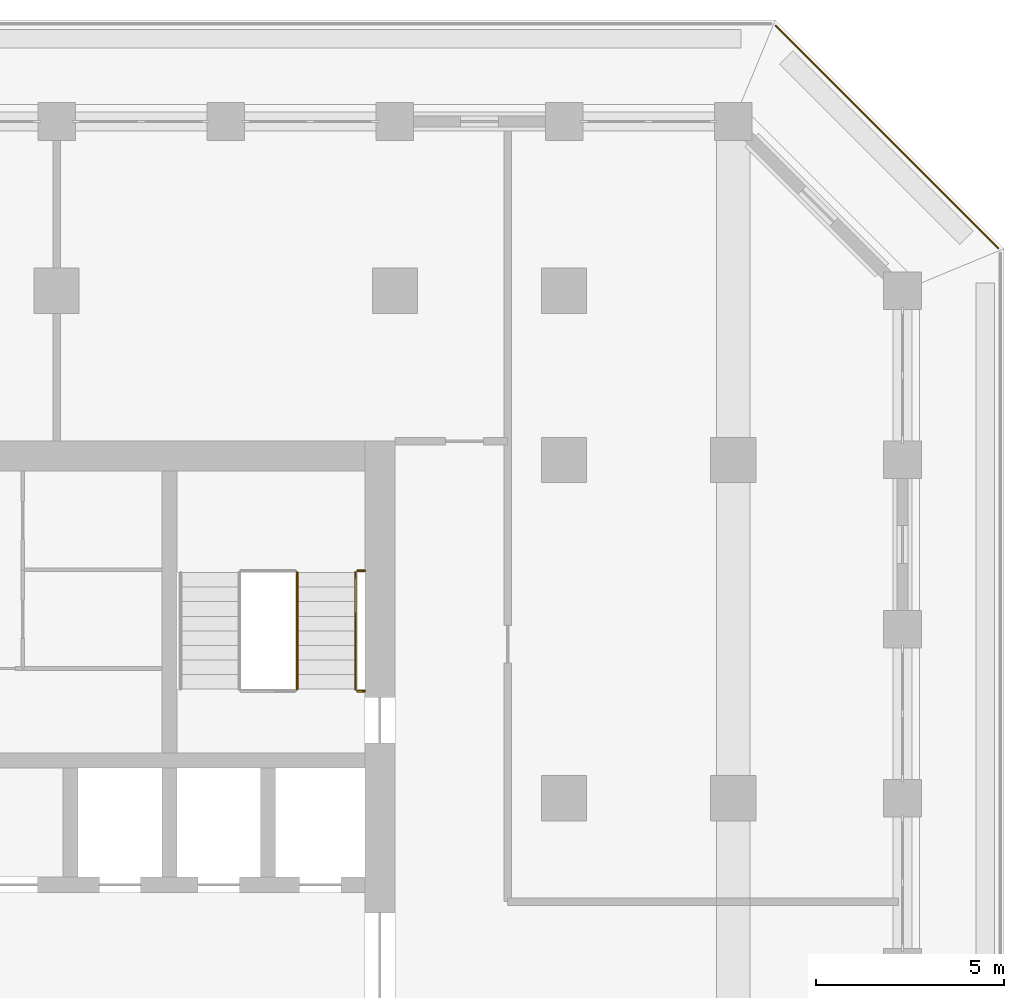
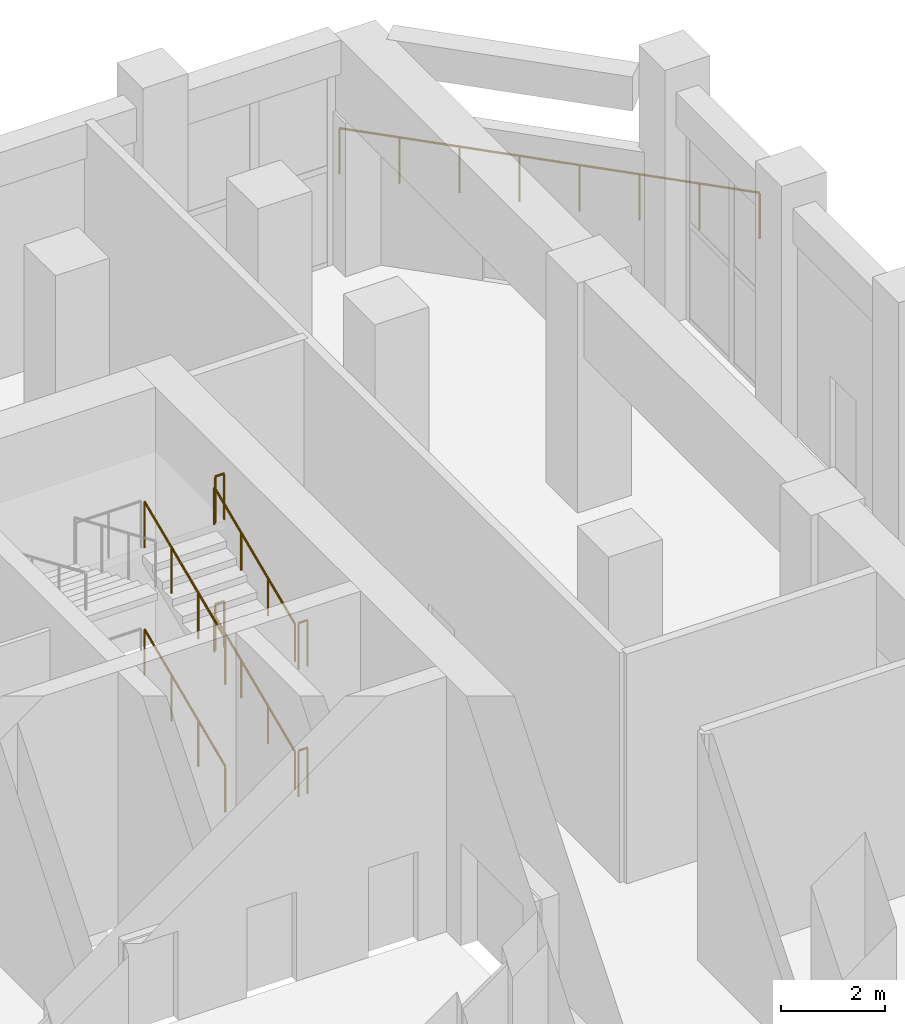
# One storey, part 24 of 25: 9 railings.
"""IFC4 building model written with IfcOpenShell, lengths in metres."""

from ifc_helpers import new_model, si_unit, direction, frame, origin, origin_2d, place, context, subcontext, project, spatial, circle, extrude, material, type_object, element, save


model = new_model("IFC4")

# Units and contexts
model_context = context("Model", 3, precision=1e-05, world=origin(), true_north=direction((0.0, 1.0)))
body_context = subcontext(model_context, "Body", "Model", "MODEL_VIEW")
ifc_project = project(units=[si_unit("LENGTHUNIT", "METRE"), si_unit("AREAUNIT", "SQUARE_METRE"), si_unit("VOLUMEUNIT", "CUBIC_METRE"), si_unit("PLANEANGLEUNIT", "RADIAN"), si_unit("MASSUNIT", "GRAM", prefix="KILO")], contexts=[model_context])

# Site, building, storey
site_placement = place(None, origin())
site = spatial("IfcSite", under=ifc_project, at=site_placement, CompositionType="ELEMENT")
building_placement = place(site_placement, origin())
building = spatial("IfcBuilding", under=site, at=building_placement, Name="Corbel Stack Research Tower", CompositionType="ELEMENT")
storey_placement = place(building_placement, frame((0.0, 0.0, 220.199951171875)))
storey = spatial("IfcBuildingStorey", under=building, at=storey_placement, Name="L50", CompositionType="ELEMENT", Elevation=220.199951171875)

# Railings
ifc_material_1 = material(Name="Steel S355", Category="steel")
railing_type_1 = type_object("IfcRailingType", Name="Stair guard 1100", PredefinedType="GUARDRAIL", material=ifc_material_1)
railing_1_placement = place(storey_placement, frame((15.39990234375, 11.89990234375, 0.166748046875)))
element("IfcRailing", 1, at=railing_1_placement, inside=storey, type_object=railing_type_1, Name="L50 ST-E2 stair guard 1", PredefinedType="GUARDRAIL", context=body_context, shape_type="SweptSolid", body=[
    extrude(circle(Radius=0.02392578125, at=origin_2d()), frame((0.0, 0.0, 1.076171875), z_axis=(0.0, 0.918826996994, 0.394660549834), x_axis=(-1.0, 0.0, 0.0)), (0.0, 0.0, 1.0), 3.378173828125),
    extrude(circle(Radius=0.02099609375, at=origin_2d()), origin(), (0.0, 0.0, 1.0), 1.052001953125),
    extrude(circle(Radius=0.02099609375, at=origin_2d()), frame((0.0, 1.03466796875, 0.4443359375)), (0.0, 0.0, 1.0), 1.052001953125),
    extrude(circle(Radius=0.02099609375, at=origin_2d()), frame((0.0, 2.0693359375, 0.888916015625)), (0.0, 0.0, 1.0), 1.052001953125),
    extrude(circle(Radius=0.02099609375, at=origin_2d()), frame((0.0, 3.10400390625, 1.333251953125)), (0.0, 0.0, 1.0), 1.052001953125),
])
for number, where, name in (
    (2, (17.199951171875, 15.053955078125, 1.5), "L50 ST-E2 stair guard 3"),
    (3, (17.199951171875, 11.85009765625, 3.0), "L50 ST-E2 stair guard 6"),
):
    element("IfcRailing", number, at=place(storey_placement, frame(where)), inside=storey, type_object=railing_type_1, Name=name, PredefinedType="GUARDRAIL", context=body_context, shape_type="SweptSolid", body=[
        extrude(circle(Radius=0.02392578125, at=origin_2d()), frame((0.0, 0.0, 1.076171875), z_axis=(-1.0, 0.0, 0.0), x_axis=(0.0, -1.0, 0.0)), (0.0, 0.0, 1.0), 0.199951171875),
        extrude(circle(Radius=0.02099609375, at=origin_2d()), origin(), (0.0, 0.0, 1.0), 1.052001953125),
        extrude(circle(Radius=0.02099609375, at=origin_2d()), frame((-0.199951171875, 0.0, 0.0)), (0.0, 0.0, 1.0), 1.052001953125),
    ])
railing_2_placement = place(storey_placement, frame((15.39990234375, 11.89990234375, 3.166748046875)))
element("IfcRailing", 4, at=railing_2_placement, inside=storey, type_object=railing_type_1, Name="L50 ST-E2 stair guard 7", PredefinedType="GUARDRAIL", context=body_context, shape_type="SweptSolid", body=[
    extrude(circle(Radius=0.02392578125, at=origin_2d()), frame((0.0, 0.0, 1.076171875), z_axis=(0.0, 0.918826996994, 0.394660549834), x_axis=(-1.0, 0.0, 0.0)), (0.0, 0.0, 1.0), 3.378173828125),
    extrude(circle(Radius=0.02099609375, at=origin_2d()), origin(), (0.0, 0.0, 1.0), 1.052001953125),
    extrude(circle(Radius=0.02099609375, at=origin_2d()), frame((0.0, 1.03466796875, 0.4443359375)), (0.0, 0.0, 1.0), 1.052001953125),
    extrude(circle(Radius=0.02099609375, at=origin_2d()), frame((0.0, 2.0693359375, 0.888916015625)), (0.0, 0.0, 1.0), 1.052001953125),
    extrude(circle(Radius=0.02099609375, at=origin_2d()), frame((0.0, 3.10400390625, 1.333251953125)), (0.0, 0.0, 1.0), 1.052001953125),
])
for number, where, name in (
    (5, (17.199951171875, 15.053955078125, 4.5), "L50 ST-E2 stair guard 9"),
    (6, (17.199951171875, 11.85009765625, 0.0), "L50 ST-E2 stair guard 12"),
):
    element("IfcRailing", number, at=place(storey_placement, frame(where)), inside=storey, type_object=railing_type_1, Name=name, PredefinedType="GUARDRAIL", context=body_context, shape_type="SweptSolid", body=[
        extrude(circle(Radius=0.02392578125, at=origin_2d()), frame((0.0, 0.0, 1.076171875), z_axis=(-1.0, 0.0, 0.0), x_axis=(0.0, -1.0, 0.0)), (0.0, 0.0, 1.0), 0.199951171875),
        extrude(circle(Radius=0.02099609375, at=origin_2d()), origin(), (0.0, 0.0, 1.0), 1.052001953125),
        extrude(circle(Radius=0.02099609375, at=origin_2d()), frame((-0.199951171875, 0.0, 0.0)), (0.0, 0.0, 1.0), 1.052001953125),
    ])
ifc_material_2 = material(Name="Steel S355", Category="steel")
railing_type_2 = type_object("IfcRailingType", Name="Stair handrail 900", PredefinedType="HANDRAIL", material=ifc_material_2)
for number, where, name in (
    (7, (16.949951171875, 11.89990234375, 0.166748046875), "L50 ST-E2 stair handrail 1"),
    (8, (16.949951171875, 11.89990234375, 3.166748046875), "L50 ST-E2 stair handrail 3"),
):
    element("IfcRailing", number, at=place(storey_placement, frame(where)), inside=storey, type_object=railing_type_2, Name=name, PredefinedType="HANDRAIL", context=body_context, shape_type="SweptSolid", body=[
        extrude(circle(Radius=0.02392578125, at=origin_2d()), frame((0.0, 0.0, 0.8759765625), z_axis=(0.0, 0.918826996994, 0.394660549834), x_axis=(-1.0, 0.0, 0.0)), (0.0, 0.0, 1.0), 3.378173828125),
        extrude(circle(Radius=0.02099609375, at=origin_2d()), origin(), (0.0, 0.0, 1.0), 0.851806640625),
        extrude(circle(Radius=0.02099609375, at=origin_2d()), frame((0.0, 1.03466796875, 0.4443359375)), (0.0, 0.0, 1.0), 0.851806640625),
        extrude(circle(Radius=0.02099609375, at=origin_2d()), frame((0.0, 2.0693359375, 0.888916015625)), (0.0, 0.0, 1.0), 0.851806640625),
        extrude(circle(Radius=0.02099609375, at=origin_2d()), frame((0.0, 3.10400390625, 1.333251953125)), (0.0, 0.0, 1.0), 0.851806640625),
    ])
ifc_material_3 = material(Name="Powder-coated steel guard", Category="steel")
railing_type_3 = type_object("IfcRailingType", Name="Steel and glass guard 1100", PredefinedType="GUARDRAIL", material=ifc_material_3)
railing_3_placement = place(storey_placement, frame((34.04931640625, 23.627685546875, 0.0)))
element("IfcRailing", 9, at=railing_3_placement, inside=storey, type_object=railing_type_3, Name="Loggia guard L50 NE", PredefinedType="GUARDRAIL", context=body_context, shape_type="SweptSolid", body=[
    extrude(circle(Radius=0.02392578125, at=origin_2d()), frame((0.0, 0.0, 1.076171875), z_axis=(-0.707106781187, 0.707106781187, 0.0), x_axis=(-0.707106781187, -0.707106781187, 0.0)), (0.0, 0.0, 1.0), 8.37451171875),
    extrude(circle(Radius=0.02099609375, at=origin_2d()), origin(), (0.0, 0.0, 1.0), 1.052001953125),
    extrude(circle(Radius=0.02099609375, at=origin_2d()), frame((-0.845947265625, 0.845947265625, 0.0)), (0.0, 0.0, 1.0), 1.052001953125),
    extrude(circle(Radius=0.02099609375, at=origin_2d()), frame((-1.69189453125, 1.69189453125, 0.0)), (0.0, 0.0, 1.0), 1.052001953125),
    extrude(circle(Radius=0.02099609375, at=origin_2d()), frame((-2.537841796875, 2.537841796875, 0.0)), (0.0, 0.0, 1.0), 1.052001953125),
    extrude(circle(Radius=0.02099609375, at=origin_2d()), frame((-3.3837890625, 3.3837890625, 0.0)), (0.0, 0.0, 1.0), 1.052001953125),
    extrude(circle(Radius=0.02099609375, at=origin_2d()), frame((-4.229736328125, 4.229736328125, 0.0)), (0.0, 0.0, 1.0), 1.052001953125),
    extrude(circle(Radius=0.02099609375, at=origin_2d()), frame((-5.07568359375, 5.07568359375, 0.0)), (0.0, 0.0, 1.0), 1.052001953125),
    extrude(circle(Radius=0.02099609375, at=origin_2d()), frame((-5.921630859375, 5.921630859375, 0.0)), (0.0, 0.0, 1.0), 1.052001953125),
])

save(model, "model.ifc")
